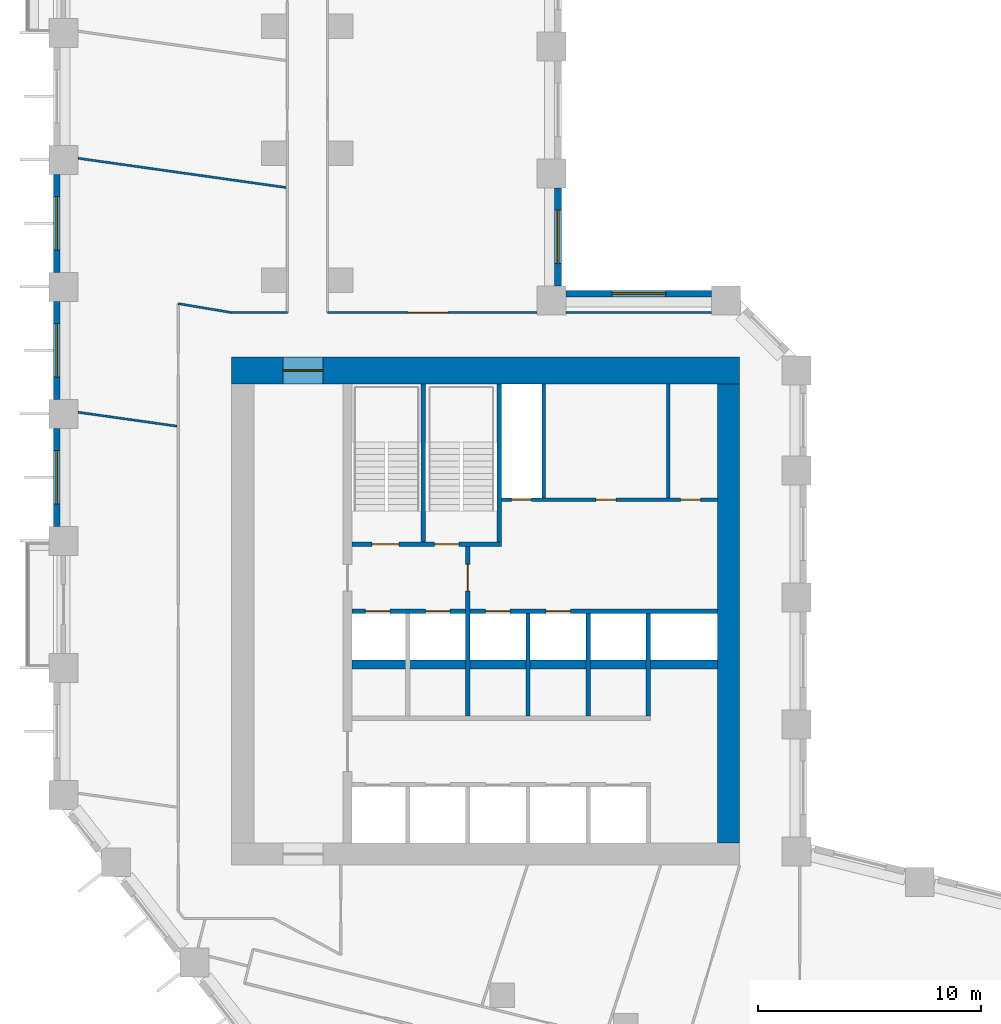
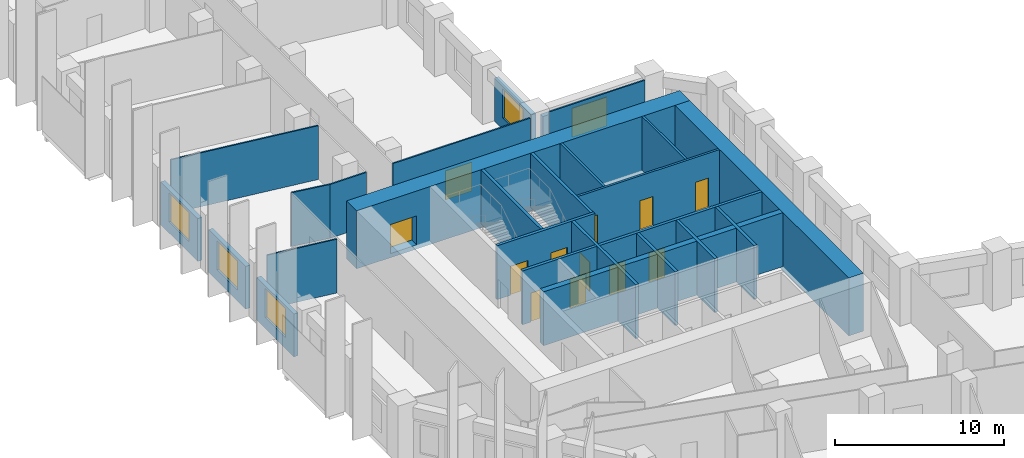
# One storey, part 5 of 11: 25 walls, 12 doors, 5 windows, 17 openings.
"""IFC4 building model written with IfcOpenShell, lengths in metres."""

from ifc_helpers import new_model, si_unit, direction, frame, frame_2d, origin, place, context, subcontext, project, spatial, rectangle, extrude, material, layer, layer_set, type_object, element, fill, save


model = new_model("IFC4")

# Units and contexts
model_context = context("Model", 3, precision=1e-05, world=origin(), true_north=direction((0.0, 1.0)))
body_context = subcontext(model_context, "Body", "Model", "MODEL_VIEW")
ifc_project = project(units=[si_unit("LENGTHUNIT", "METRE"), si_unit("AREAUNIT", "SQUARE_METRE"), si_unit("VOLUMEUNIT", "CUBIC_METRE"), si_unit("PLANEANGLEUNIT", "RADIAN"), si_unit("MASSUNIT", "GRAM", prefix="KILO")], contexts=[model_context])

# Site, building, storey
site_placement = place(None, origin())
site = spatial("IfcSite", under=ifc_project, at=site_placement, CompositionType="ELEMENT")
building_placement = place(site_placement, origin())
building = spatial("IfcBuilding", under=site, at=building_placement, Name="Meshkara Civic Tower", CompositionType="ELEMENT")
storey_placement = place(building_placement, frame((0.0, 0.0, 147.60009765625)))
storey = spatial("IfcBuildingStorey", under=building, at=storey_placement, Name="L33", CompositionType="ELEMENT", Elevation=147.60009765625)

# Wall, openings, doors
ifc_material_1 = material(Name="Blockwork", Category="masonry")
ifc_layer_1 = layer(ifc_material_1, 0.14990234375)
ifc_layer_set_1 = layer_set([ifc_layer_1], Name="Core partition 150")
wall_type_1 = type_object("IfcWallType", Name="Core partition 150", PredefinedType="PARTITIONING", material=ifc_layer_set_1)
wall_1_placement = place(storey_placement, frame((20.10009765625, 30.5, 0.0), z_axis=(0.0, 0.0, 1.0), x_axis=(1.0, 0.0, 0.0)))
wall_1 = element("IfcWall", 1, at=wall_1_placement, inside=storey, type_object=wall_type_1, Name="L33-C010", PredefinedType="PARTITIONING", context=body_context, shape_type="SweptSolid", body=[
    extrude(rectangle(XDim=9.699951171875, YDim=0.14990234375, at=frame_2d((4.85009765625, 0.0))), origin(), (0.0, 0.0, 1.0), 3.89990234375),
])
opening_1_placement = place(wall_1_placement, frame((0.449951171875, 0.0, 0.0)))
opening_1 = element("IfcOpeningElement", 2, at=opening_1_placement, cuts=wall_1, Name="Opening L33-K010", PredefinedType="OPENING", context=body_context, shape_type="SweptSolid", body=[
    extrude(rectangle(XDim=0.89990234375, YDim=2.10009765625, at=frame_2d((0.449951171875, 1.050048828125))), frame((0.0, 0.0849609375, 0.0), z_axis=(0.0, -1.0, 0.0), x_axis=(1.0, 0.0, 0.0)), (0.0, 0.0, 1.0), 0.169921875),
])
opening_2_placement = place(wall_1_placement, frame((4.25, 0.0, 0.0)))
opening_2 = element("IfcOpeningElement", 3, at=opening_2_placement, cuts=wall_1, Name="Opening L33-K011", PredefinedType="OPENING", context=body_context, shape_type="SweptSolid", body=[
    extrude(rectangle(XDim=0.89990234375, YDim=2.10009765625, at=frame_2d((0.449951171875, 1.050048828125))), frame((0.0, 0.0849609375, 0.0), z_axis=(0.0, -1.0, 0.0), x_axis=(1.0, 0.0, 0.0)), (0.0, 0.0, 1.0), 0.169921875),
])
opening_3_placement = place(wall_1_placement, frame((8.050048828125, 0.0, 0.0)))
opening_3 = element("IfcOpeningElement", 4, at=opening_3_placement, cuts=wall_1, Name="Opening L33-K012", PredefinedType="OPENING", context=body_context, shape_type="SweptSolid", body=[
    extrude(rectangle(XDim=0.89990234375, YDim=2.10009765625, at=frame_2d((0.449951171875, 1.050048828125))), frame((0.0, 0.0849609375, 0.0), z_axis=(0.0, -1.0, 0.0), x_axis=(1.0, 0.0, 0.0)), (0.0, 0.0, 1.0), 0.169921875),
])
ifc_material_2 = material(Name="Timber door leaf in steel frame", Category="steel")
door_type_1 = type_object("IfcDoorType", Name="Core room door 900", OperationType="SINGLE_SWING_LEFT", PredefinedType="DOOR", material=ifc_material_2)
door_1_placement = place(opening_2_placement, origin())
door_1 = element("IfcDoor", 5, at=door_1_placement, inside=storey, type_object=door_type_1, Name="L33-K011", OperationType="SINGLE_SWING_RIGHT", OverallHeight=2.10009765625, OverallWidth=0.89990234375, PredefinedType="DOOR", context=body_context, shape_type="SweptSolid", body=[
    extrude(rectangle(XDim=0.89990234375, YDim=2.10009765625, at=frame_2d((0.449951171875, 1.050048828125))), frame((0.0, 0.02490234375, 0.0), z_axis=(0.0, -1.0, 0.0), x_axis=(1.0, 0.0, 0.0)), (0.0, 0.0, 1.0), 0.050048828125),
])
fill(opening_2, door_1)
door_2_placement = place(opening_3_placement, origin())
door_2 = element("IfcDoor", 6, at=door_2_placement, inside=storey, type_object=door_type_1, Name="L33-K012", OperationType="SINGLE_SWING_RIGHT", OverallHeight=2.10009765625, OverallWidth=0.89990234375, PredefinedType="DOOR", context=body_context, shape_type="SweptSolid", body=[
    extrude(rectangle(XDim=0.89990234375, YDim=2.10009765625, at=frame_2d((0.449951171875, 1.050048828125))), frame((0.0, 0.02490234375, 0.0), z_axis=(0.0, -1.0, 0.0), x_axis=(1.0, 0.0, 0.0)), (0.0, 0.0, 1.0), 0.050048828125),
])
fill(opening_3, door_2)
ifc_material_3 = material(Name="Fire-rated door leaf in steel frame", Category="steel")
door_type_2 = type_object("IfcDoorType", Name="Riser door 900", OperationType="SINGLE_SWING_LEFT", PredefinedType="DOOR", material=ifc_material_3)
door_3_placement = place(opening_1_placement, origin())
door_3 = element("IfcDoor", 7, at=door_3_placement, inside=storey, type_object=door_type_2, Name="L33-K010", OperationType="SINGLE_SWING_RIGHT", OverallHeight=2.10009765625, OverallWidth=0.89990234375, PredefinedType="DOOR", context=body_context, shape_type="SweptSolid", body=[
    extrude(rectangle(XDim=0.89990234375, YDim=2.10009765625, at=frame_2d((0.449951171875, 1.050048828125))), frame((0.0, 0.02490234375, 0.0), z_axis=(0.0, -1.0, 0.0), x_axis=(1.0, 0.0, 0.0)), (0.0, 0.0, 1.0), 0.050048828125),
])
fill(opening_1, door_3)

# Walls
for number, where, z_axis, x_axis, name in (
    (8, (22.0, 30.574951171875, 0.0), (0.0, 0.0, 1.0), (0.0, 1.0, 0.0), "L33-C020"),
    (9, (27.60009765625, 30.574951171875, 0.0), (0.0, 0.0, 1.0), (0.0, 1.0, 0.0), "L33-C025"),
):
    element("IfcWall", number, at=place(storey_placement, frame(where, z_axis=z_axis, x_axis=x_axis)), inside=storey, type_object=wall_type_1, Name=name, PredefinedType="PARTITIONING", context=body_context, shape_type="SweptSolid", body=[
        extrude(rectangle(XDim=5.125, YDim=0.14990234375, at=frame_2d((2.5625, 0.0))), origin(), (0.0, 0.0, 1.0), 3.89990234375),
    ])
ifc_material_4 = material(Name="Concrete C70", Category="concrete")
ifc_layer_2 = layer(ifc_material_4, 1.0)
ifc_layer_set_2 = layer_set([ifc_layer_2], Name="Core ring wall 1000 C70")
wall_type_2 = type_object("IfcWallType", Name="Core ring wall 1000 C70", PredefinedType="SHEAR", material=ifc_layer_set_2)
wall_2_placement = place(storey_placement, frame((30.300048828125, 15.10009765625, -0.300048828125), z_axis=(0.0, 0.0, 1.0), x_axis=(0.0, 1.0, 0.0)))
element("IfcWall", 10, at=wall_2_placement, inside=storey, type_object=wall_type_2, Name="L33-C004", PredefinedType="SHEAR", context=body_context, shape_type="SweptSolid", body=[
    extrude(rectangle(XDim=20.599853515625, YDim=1.0, at=frame_2d((10.2998046875, 0.0))), origin(), (0.0, 0.0, 1.0), 4.199951171875),
])

# Wall, opening, door
ifc_material_5 = material(Name="Concrete C70", Category="concrete")
ifc_layer_3 = layer(ifc_material_5, 1.199951171875)
ifc_layer_set_3 = layer_set([ifc_layer_3], Name="Core ring wall 1200 C70")
wall_type_3 = type_object("IfcWallType", Name="Core ring wall 1200 C70", PredefinedType="SHEAR", material=ifc_layer_set_3)
wall_3_placement = place(storey_placement, frame((8.0, 36.300048828125, -0.300048828125), z_axis=(0.0, 0.0, 1.0), x_axis=(1.0, 0.0, 0.0)))
wall_3 = element("IfcWall", 11, at=wall_3_placement, inside=storey, type_object=wall_type_3, Name="L33-C002", PredefinedType="SHEAR", context=body_context, shape_type="SweptSolid", body=[
    extrude(rectangle(XDim=22.800048828125, YDim=1.199951171875, at=frame_2d((11.39990234375, 0.0))), origin(), (0.0, 0.0, 1.0), 4.199951171875),
])
opening_4_placement = place(wall_3_placement, frame((2.300048828125, 0.0, 0.300048828125)))
opening_4 = element("IfcOpeningElement", 12, at=opening_4_placement, cuts=wall_3, Name="Opening L33-K018", PredefinedType="OPENING", context=body_context, shape_type="SweptSolid", body=[
    extrude(rectangle(XDim=1.800048828125, YDim=2.10009765625, at=frame_2d((0.89990234375, 1.050048828125))), frame((0.0, 0.60986328125, 0.0), z_axis=(0.0, -1.0, 0.0), x_axis=(1.0, 0.0, 0.0)), (0.0, 0.0, 1.0), 1.219970703125),
])
ifc_material_6 = material(Name="Fire-rated door leaf in steel frame", Category="steel")
door_type_3 = type_object("IfcDoorType", Name="Core double door 1800 EI 60", OperationType="DOUBLE_DOOR_SINGLE_SWING", PredefinedType="DOOR", material=ifc_material_6)
door_4_placement = place(opening_4_placement, origin())
door_4 = element("IfcDoor", 13, at=door_4_placement, inside=storey, type_object=door_type_3, Name="L33-K018", OperationType="DOUBLE_DOOR_SINGLE_SWING", OverallHeight=2.10009765625, OverallWidth=1.800048828125, PredefinedType="DOOR", context=body_context, shape_type="SweptSolid", body=[
    extrude(rectangle(XDim=1.800048828125, YDim=2.10009765625, at=frame_2d((0.89990234375, 1.050048828125))), frame((0.0, 0.02490234375, 0.0), z_axis=(0.0, -1.0, 0.0), x_axis=(1.0, 0.0, 0.0)), (0.0, 0.0, 1.0), 0.050048828125),
])
fill(opening_4, door_4)

# Walls
ifc_material_7 = material(Name="Concrete C70", Category="concrete")
ifc_layer_4 = layer(ifc_material_7, 0.39990234375)
ifc_layer_set_4 = layer_set([ifc_layer_4], Name="Core shear wall 400 C70")
wall_type_4 = type_object("IfcWallType", Name="Core shear wall 400 C70", PredefinedType="SHEAR", material=ifc_layer_set_4)
wall_4_placement = place(storey_placement, frame((13.39990234375, 23.10009765625, 0.0), z_axis=(0.0, 0.0, 1.0), x_axis=(1.0, 0.0, 0.0)))
element("IfcWall", 14, at=wall_4_placement, inside=storey, type_object=wall_type_4, Name="L33-C007", PredefinedType="SHEAR", context=body_context, shape_type="SweptSolid", body=[
    extrude(rectangle(XDim=16.400146484375, YDim=0.39990234375, at=frame_2d((8.2001953125, 0.0))), origin(), (0.0, 0.0, 1.0), 3.89990234375),
])
ifc_material_8 = material(Name="Corridor wall 100")
ifc_layer_5 = layer(ifc_material_8, 0.10009765625)
ifc_layer_set_5 = layer_set([ifc_layer_5], Name="Corridor wall 100")
wall_type_5 = type_object("IfcWallType", Name="Corridor wall 100", PredefinedType="PARTITIONING", material=ifc_layer_set_5)
wall_5_placement = place(storey_placement, frame((8.0, 38.89990234375, 0.0), z_axis=(0.0, 0.0, 1.0), x_axis=(-0.986383073668, 0.16446407505, 0.0)))
element("IfcWall", 15, at=wall_5_placement, inside=storey, type_object=wall_type_5, Name="L33-W007", PredefinedType="PARTITIONING", context=body_context, shape_type="SweptSolid", body=[
    extrude(rectangle(XDim=2.43310546875, YDim=0.10009765625, at=frame_2d((1.216552734375, 0.0))), origin(), (0.0, 0.0, 1.0), 3.89990234375),
])
wall_6_placement = place(storey_placement, frame((10.5, 38.89990234375, 0.0), z_axis=(0.0, 0.0, 1.0), x_axis=(-1.0, 0.0, 0.0)))
element("IfcWall", 16, at=wall_6_placement, inside=storey, type_object=wall_type_5, Name="L33-W012", PredefinedType="PARTITIONING", context=body_context, shape_type="SweptSolid", body=[
    extrude(rectangle(XDim=2.5, YDim=0.10009765625, at=frame_2d((1.25, 0.0))), origin(), (0.0, 0.0, 1.0), 3.89990234375),
])

# Wall, opening, door
wall_7_placement = place(storey_placement, frame((21.699951171875, 38.89990234375, 0.0), z_axis=(0.0, 0.0, 1.0), x_axis=(-1.0, 0.0, 0.0)))
wall_7 = element("IfcWall", 17, at=wall_7_placement, inside=storey, type_object=wall_type_5, Name="L33-W019", PredefinedType="PARTITIONING", context=body_context, shape_type="SweptSolid", body=[
    extrude(rectangle(XDim=9.39990234375, YDim=0.10009765625, at=frame_2d((4.699951171875, 0.0))), origin(), (0.0, 0.0, 1.0), 3.89990234375),
])
opening_5_placement = place(wall_7_placement, frame((3.97998046875, 0.0, 0.0)))
opening_5 = element("IfcOpeningElement", 18, at=opening_5_placement, cuts=wall_7, Name="Opening L33-D019", PredefinedType="OPENING", context=body_context, shape_type="SweptSolid", body=[
    extrude(rectangle(XDim=1.800048828125, YDim=2.10009765625, at=frame_2d((0.89990234375, 1.050048828125))), frame((0.0, 0.06005859375, 0.0), z_axis=(0.0, -1.0, 0.0), x_axis=(1.0, 0.0, 0.0)), (0.0, 0.0, 1.0), 0.1201171875),
])
ifc_material_9 = material(Name="Door pair 1800 x 2100")
door_type_4 = type_object("IfcDoorType", Name="Door pair 1800 x 2100", OperationType="SINGLE_SWING_LEFT", PredefinedType="DOOR", material=ifc_material_9)
door_5_placement = place(opening_5_placement, origin())
door_5 = element("IfcDoor", 19, at=door_5_placement, inside=storey, type_object=door_type_4, Name="L33-D019", OperationType="DOUBLE_DOOR_SINGLE_SWING", OverallHeight=2.10009765625, OverallWidth=1.800048828125, PredefinedType="DOOR", context=body_context, shape_type="SweptSolid", body=[
    extrude(rectangle(XDim=1.800048828125, YDim=2.10009765625, at=frame_2d((0.89990234375, 1.050048828125))), frame((0.0, 0.02490234375, 0.0), z_axis=(0.0, -1.0, 0.0), x_axis=(1.0, 0.0, 0.0)), (0.0, 0.0, 1.0), 0.050048828125),
])
fill(opening_5, door_5)

# Wall
wall_8_placement = place(storey_placement, frame((29.5439453125, 38.89990234375, 0.0), z_axis=(0.0, 0.0, 1.0), x_axis=(-1.0, 0.0, 0.0)))
element("IfcWall", 20, at=wall_8_placement, inside=storey, type_object=wall_type_5, Name="L33-W020", PredefinedType="PARTITIONING", context=body_context, shape_type="SweptSolid", body=[
    extrude(rectangle(XDim=6.5439453125, YDim=0.10009765625, at=frame_2d((3.27197265625, 0.0))), origin(), (0.0, 0.0, 1.0), 3.89990234375),
])

# Wall, opening, window
ifc_material_10 = material(Name="Insulated infill panel with bronze anodised aluminium cladding", Category="aluminium")
ifc_layer_6 = layer(ifc_material_10, 0.300048828125)
ifc_layer_set_6 = layer_set([ifc_layer_6], Name="EXTERNAL INFILL WALL 300")
wall_type_6 = type_object("IfcWallType", Name="EXTERNAL INFILL WALL 300", PredefinedType="SOLIDWALL", material=ifc_layer_set_6)
wall_9_placement = place(storey_placement, frame((29.5439453125, 39.75, 0.0), z_axis=(0.0, 0.0, 1.0), x_axis=(-1.0, 0.0, 0.0)))
wall_9 = element("IfcWall", 21, at=wall_9_placement, inside=storey, type_object=wall_type_6, Name="External wall", PredefinedType="SOLIDWALL", context=body_context, shape_type="SweptSolid", body=[
    extrude(rectangle(XDim=6.5439453125, YDim=0.300048828125, at=frame_2d((3.27197265625, 0.0))), origin(), (0.0, 0.0, 1.0), 3.099853515625),
])
opening_6_placement = place(wall_9_placement, frame((2.072021484375, 0.0, 0.800048828125)))
opening_6 = element("IfcOpeningElement", 22, at=opening_6_placement, cuts=wall_9, Name="Opening W7", PredefinedType="OPENING", context=body_context, shape_type="SweptSolid", body=[
    extrude(rectangle(XDim=2.39990234375, YDim=2.10009765625, at=frame_2d((1.199951171875, 1.050048828125))), frame((0.0, 0.159912109375, 0.0), z_axis=(0.0, -1.0, 0.0), x_axis=(1.0, 0.0, 0.0)), (0.0, 0.0, 1.0), 0.320068359375),
])
ifc_material_11 = material(Name="Tinted double glazing", Category="glass")
window_type = type_object("IfcWindowType", Name="WINDOW 2400x2100", PartitioningType="DOUBLE_PANEL_VERTICAL", PredefinedType="WINDOW", material=ifc_material_11)
window_1_placement = place(opening_6_placement, origin())
window_1 = element("IfcWindow", 23, at=window_1_placement, inside=storey, type_object=window_type, Name="Window", OverallHeight=2.10009765625, OverallWidth=2.39990234375, PartitioningType="DOUBLE_PANEL_VERTICAL", PredefinedType="WINDOW", context=body_context, shape_type="SweptSolid", body=[
    extrude(rectangle(XDim=2.39990234375, YDim=2.10009765625, at=frame_2d((1.199951171875, 1.050048828125))), frame((0.0, 0.030029296875, 0.0), z_axis=(0.0, -1.0, 0.0), x_axis=(1.0, 0.0, 0.0)), (0.0, 0.0, 1.0), 0.06005859375),
])
fill(opening_6, window_1)

wall_10_placement = place(storey_placement, frame((22.64990234375, 40.10009765625, 0.0), z_axis=(0.0, 0.0, 1.0), x_axis=(0.0, 1.0, 0.0)))
wall_10 = element("IfcWall", 24, at=wall_10_placement, inside=storey, type_object=wall_type_6, Name="External wall", PredefinedType="SOLIDWALL", context=body_context, shape_type="SweptSolid", body=[
    extrude(rectangle(XDim=4.39990234375, YDim=0.300048828125, at=frame_2d((2.199951171875, 0.0))), origin(), (0.0, 0.0, 1.0), 3.099853515625),
])
opening_7_placement = place(wall_10_placement, frame((1.0, 0.0, 0.800048828125)))
opening_7 = element("IfcOpeningElement", 25, at=opening_7_placement, cuts=wall_10, Name="Opening W7", PredefinedType="OPENING", context=body_context, shape_type="SweptSolid", body=[
    extrude(rectangle(XDim=2.39990234375, YDim=2.10009765625, at=frame_2d((1.199951171875, 1.050048828125))), frame((0.0, 0.159912109375, 0.0), z_axis=(0.0, -1.0, 0.0), x_axis=(1.0, 0.0, 0.0)), (0.0, 0.0, 1.0), 0.320068359375),
])
window_2_placement = place(opening_7_placement, origin())
window_2 = element("IfcWindow", 26, at=window_2_placement, inside=storey, type_object=window_type, Name="Window", OverallHeight=2.10009765625, OverallWidth=2.39990234375, PartitioningType="DOUBLE_PANEL_VERTICAL", PredefinedType="WINDOW", context=body_context, shape_type="SweptSolid", body=[
    extrude(rectangle(XDim=2.39990234375, YDim=2.10009765625, at=frame_2d((1.199951171875, 1.050048828125))), frame((0.0, 0.030029296875, 0.0), z_axis=(0.0, -1.0, 0.0), x_axis=(1.0, 0.0, 0.0)), (0.0, 0.0, 1.0), 0.06005859375),
])
fill(opening_7, window_2)

wall_11_placement = place(storey_placement, frame((0.14990234375, 45.10498046875, 0.0), z_axis=(0.0, 0.0, 1.0), x_axis=(0.0, -1.0, 0.0)))
wall_11 = element("IfcWall", 27, at=wall_11_placement, inside=storey, type_object=wall_type_6, Name="External wall", PredefinedType="SOLIDWALL", context=body_context, shape_type="SweptSolid", body=[
    extrude(rectangle(XDim=4.39990234375, YDim=0.300048828125, at=frame_2d((2.199951171875, 0.0))), origin(), (0.0, 0.0, 1.0), 3.099853515625),
])
opening_8_placement = place(wall_11_placement, frame((1.0, 0.0, 0.800048828125)))
opening_8 = element("IfcOpeningElement", 28, at=opening_8_placement, cuts=wall_11, Name="Opening W7", PredefinedType="OPENING", context=body_context, shape_type="SweptSolid", body=[
    extrude(rectangle(XDim=2.39990234375, YDim=2.10009765625, at=frame_2d((1.199951171875, 1.050048828125))), frame((0.0, 0.159912109375, 0.0), z_axis=(0.0, -1.0, 0.0), x_axis=(1.0, 0.0, 0.0)), (0.0, 0.0, 1.0), 0.320068359375),
])
window_3_placement = place(opening_8_placement, origin())
window_3 = element("IfcWindow", 29, at=window_3_placement, inside=storey, type_object=window_type, Name="Window", OverallHeight=2.10009765625, OverallWidth=2.39990234375, PartitioningType="DOUBLE_PANEL_VERTICAL", PredefinedType="WINDOW", context=body_context, shape_type="SweptSolid", body=[
    extrude(rectangle(XDim=2.39990234375, YDim=2.10009765625, at=frame_2d((1.199951171875, 1.050048828125))), frame((0.0, 0.030029296875, 0.0), z_axis=(0.0, -1.0, 0.0), x_axis=(1.0, 0.0, 0.0)), (0.0, 0.0, 1.0), 0.06005859375),
])
fill(opening_8, window_3)

wall_12_placement = place(storey_placement, frame((0.14990234375, 39.405029296875, 0.0), z_axis=(0.0, 0.0, 1.0), x_axis=(0.0, -1.0, 0.0)))
wall_12 = element("IfcWall", 30, at=wall_12_placement, inside=storey, type_object=wall_type_6, Name="External wall", PredefinedType="SOLIDWALL", context=body_context, shape_type="SweptSolid", body=[
    extrude(rectangle(XDim=4.400146484375, YDim=0.300048828125, at=frame_2d((2.2001953125, 0.0))), origin(), (0.0, 0.0, 1.0), 3.099853515625),
])
opening_9_placement = place(wall_12_placement, frame((1.0, 0.0, 0.800048828125)))
opening_9 = element("IfcOpeningElement", 31, at=opening_9_placement, cuts=wall_12, Name="Opening W7", PredefinedType="OPENING", context=body_context, shape_type="SweptSolid", body=[
    extrude(rectangle(XDim=2.39990234375, YDim=2.10009765625, at=frame_2d((1.199951171875, 1.050048828125))), frame((0.0, 0.159912109375, 0.0), z_axis=(0.0, -1.0, 0.0), x_axis=(1.0, 0.0, 0.0)), (0.0, 0.0, 1.0), 0.320068359375),
])
window_4_placement = place(opening_9_placement, origin())
window_4 = element("IfcWindow", 32, at=window_4_placement, inside=storey, type_object=window_type, Name="Window", OverallHeight=2.10009765625, OverallWidth=2.39990234375, PartitioningType="DOUBLE_PANEL_VERTICAL", PredefinedType="WINDOW", context=body_context, shape_type="SweptSolid", body=[
    extrude(rectangle(XDim=2.39990234375, YDim=2.10009765625, at=frame_2d((1.199951171875, 1.050048828125))), frame((0.0, 0.030029296875, 0.0), z_axis=(0.0, -1.0, 0.0), x_axis=(1.0, 0.0, 0.0)), (0.0, 0.0, 1.0), 0.06005859375),
])
fill(opening_9, window_4)

wall_13_placement = place(storey_placement, frame((0.14990234375, 33.705078125, 0.0), z_axis=(0.0, 0.0, 1.0), x_axis=(0.0, -1.0, 0.0)))
wall_13 = element("IfcWall", 33, at=wall_13_placement, inside=storey, type_object=wall_type_6, Name="External wall", PredefinedType="SOLIDWALL", context=body_context, shape_type="SweptSolid", body=[
    extrude(rectangle(XDim=4.400146484375, YDim=0.300048828125, at=frame_2d((2.2001953125, 0.0))), origin(), (0.0, 0.0, 1.0), 3.099853515625),
])
opening_10_placement = place(wall_13_placement, frame((1.0, 0.0, 0.800048828125)))
opening_10 = element("IfcOpeningElement", 34, at=opening_10_placement, cuts=wall_13, Name="Opening W7", PredefinedType="OPENING", context=body_context, shape_type="SweptSolid", body=[
    extrude(rectangle(XDim=2.39990234375, YDim=2.10009765625, at=frame_2d((1.199951171875, 1.050048828125))), frame((0.0, 0.159912109375, 0.0), z_axis=(0.0, -1.0, 0.0), x_axis=(1.0, 0.0, 0.0)), (0.0, 0.0, 1.0), 0.320068359375),
])
window_5_placement = place(opening_10_placement, origin())
window_5 = element("IfcWindow", 35, at=window_5_placement, inside=storey, type_object=window_type, Name="Window", OverallHeight=2.10009765625, OverallWidth=2.39990234375, PartitioningType="DOUBLE_PANEL_VERTICAL", PredefinedType="WINDOW", context=body_context, shape_type="SweptSolid", body=[
    extrude(rectangle(XDim=2.39990234375, YDim=2.10009765625, at=frame_2d((1.199951171875, 1.050048828125))), frame((0.0, 0.030029296875, 0.0), z_axis=(0.0, -1.0, 0.0), x_axis=(1.0, 0.0, 0.0)), (0.0, 0.0, 1.0), 0.06005859375),
])
fill(opening_10, window_5)

# Walls
ifc_material_12 = material(Name="Partition 100")
ifc_layer_7 = layer(ifc_material_12, 0.10009765625)
ifc_layer_set_7 = layer_set([ifc_layer_7], Name="Partition 100")
wall_type_7 = type_object("IfcWallType", Name="Partition 100", PredefinedType="PARTITIONING", material=ifc_layer_set_7)
wall_14_placement = place(storey_placement, frame((5.54296875, 33.801025390625, 0.0), z_axis=(0.0, 0.0, 1.0), x_axis=(-0.990249777372, 0.139303188816, 0.0)))
element("IfcWall", 36, at=wall_14_placement, inside=storey, type_object=wall_type_7, Name="L33-W033", PredefinedType="PARTITIONING", context=body_context, shape_type="SweptSolid", body=[
    extrude(rectangle(XDim=4.486572265625, YDim=0.10009765625, at=frame_2d((2.2431640625, 0.0))), origin(), (0.0, 0.0, 1.0), 3.89990234375),
])
wall_15_placement = place(storey_placement, frame((10.443115234375, 44.511962890625, 0.0), z_axis=(0.0, 0.0, 1.0), x_axis=(-0.990255073415, 0.139265536207, 0.0)))
element("IfcWall", 37, at=wall_15_placement, inside=storey, type_object=wall_type_7, Name="L33-W036", PredefinedType="PARTITIONING", context=body_context, shape_type="SweptSolid", body=[
    extrude(rectangle(XDim=9.43505859375, YDim=0.10009765625, at=frame_2d((4.717529296875, 0.0))), origin(), (0.0, 0.0, 1.0), 3.89990234375),
])

# Wall, openings, doors
ifc_material_13 = material(Name="Concrete C40/50", Category="concrete")
ifc_layer_8 = layer(ifc_material_13, 0.199951171875)
ifc_layer_set_8 = layer_set([ifc_layer_8], Name="Shaft wall 200 C40/50")
wall_type_8 = type_object("IfcWallType", Name="Shaft wall 200 C40/50", PredefinedType="SOLIDWALL", material=ifc_layer_set_8)
wall_16_placement = place(storey_placement, frame((13.39990234375, 25.5, 0.0), z_axis=(0.0, 0.0, 1.0), x_axis=(1.0, 0.0, 0.0)))
wall_16 = element("IfcWall", 38, at=wall_16_placement, inside=storey, type_object=wall_type_8, Name="L33-C008", PredefinedType="SOLIDWALL", context=body_context, shape_type="SweptSolid", body=[
    extrude(rectangle(XDim=16.400146484375, YDim=0.199951171875, at=frame_2d((8.2001953125, 0.0))), origin(), (0.0, 0.0, 1.0), 3.89990234375),
])
opening_11_placement = place(wall_16_placement, frame((0.60009765625, 0.0, 0.0)))
opening_11 = element("IfcOpeningElement", 39, at=opening_11_placement, cuts=wall_16, Name="Opening L33-K006", PredefinedType="OPENING", context=body_context, shape_type="SweptSolid", body=[
    extrude(rectangle(XDim=1.10009765625, YDim=2.10009765625, at=frame_2d((0.550048828125, 1.050048828125))), frame((0.0, 0.10986328125, 0.0), z_axis=(0.0, -1.0, 0.0), x_axis=(1.0, 0.0, 0.0)), (0.0, 0.0, 1.0), 0.219970703125),
])
opening_12_placement = place(wall_16_placement, frame((3.300048828125, 0.0, 0.0)))
opening_12 = element("IfcOpeningElement", 40, at=opening_12_placement, cuts=wall_16, Name="Opening L33-K007", PredefinedType="OPENING", context=body_context, shape_type="SweptSolid", body=[
    extrude(rectangle(XDim=1.10009765625, YDim=2.10009765625, at=frame_2d((0.550048828125, 1.050048828125))), frame((0.0, 0.10986328125, 0.0), z_axis=(0.0, -1.0, 0.0), x_axis=(1.0, 0.0, 0.0)), (0.0, 0.0, 1.0), 0.219970703125),
])
opening_13_placement = place(wall_16_placement, frame((6.0, 0.0, 0.0)))
opening_13 = element("IfcOpeningElement", 41, at=opening_13_placement, cuts=wall_16, Name="Opening L33-K008", PredefinedType="OPENING", context=body_context, shape_type="SweptSolid", body=[
    extrude(rectangle(XDim=1.10009765625, YDim=2.10009765625, at=frame_2d((0.550048828125, 1.050048828125))), frame((0.0, 0.10986328125, 0.0), z_axis=(0.0, -1.0, 0.0), x_axis=(1.0, 0.0, 0.0)), (0.0, 0.0, 1.0), 0.219970703125),
])
opening_14_placement = place(wall_16_placement, frame((8.699951171875, 0.0, 0.0)))
opening_14 = element("IfcOpeningElement", 42, at=opening_14_placement, cuts=wall_16, Name="Opening L33-K009", PredefinedType="OPENING", context=body_context, shape_type="SweptSolid", body=[
    extrude(rectangle(XDim=1.10009765625, YDim=2.10009765625, at=frame_2d((0.550048828125, 1.050048828125))), frame((0.0, 0.10986328125, 0.0), z_axis=(0.0, -1.0, 0.0), x_axis=(1.0, 0.0, 0.0)), (0.0, 0.0, 1.0), 0.219970703125),
])
ifc_material_14 = material(Name="Stainless steel landing door", Category="steel")
door_type_5 = type_object("IfcDoorType", Name="Lift landing door 1100", OperationType="SLIDING_TO_LEFT", PredefinedType="DOOR", material=ifc_material_14)
door_6_placement = place(opening_11_placement, origin())
door_6 = element("IfcDoor", 43, at=door_6_placement, inside=storey, type_object=door_type_5, Name="L33-K006", OperationType="SLIDING_TO_LEFT", OverallHeight=2.10009765625, OverallWidth=1.10009765625, PredefinedType="DOOR", context=body_context, shape_type="SweptSolid", body=[
    extrude(rectangle(XDim=1.10009765625, YDim=2.10009765625, at=frame_2d((0.550048828125, 1.050048828125))), frame((0.0, 0.02490234375, 0.0), z_axis=(0.0, -1.0, 0.0), x_axis=(1.0, 0.0, 0.0)), (0.0, 0.0, 1.0), 0.050048828125),
])
fill(opening_11, door_6)
door_7_placement = place(opening_12_placement, origin())
door_7 = element("IfcDoor", 44, at=door_7_placement, inside=storey, type_object=door_type_5, Name="L33-K007", OperationType="SLIDING_TO_LEFT", OverallHeight=2.10009765625, OverallWidth=1.10009765625, PredefinedType="DOOR", context=body_context, shape_type="SweptSolid", body=[
    extrude(rectangle(XDim=1.10009765625, YDim=2.10009765625, at=frame_2d((0.550048828125, 1.050048828125))), frame((0.0, 0.02490234375, 0.0), z_axis=(0.0, -1.0, 0.0), x_axis=(1.0, 0.0, 0.0)), (0.0, 0.0, 1.0), 0.050048828125),
])
fill(opening_12, door_7)
door_8_placement = place(opening_13_placement, origin())
door_8 = element("IfcDoor", 45, at=door_8_placement, inside=storey, type_object=door_type_5, Name="L33-K008", OperationType="SLIDING_TO_LEFT", OverallHeight=2.10009765625, OverallWidth=1.10009765625, PredefinedType="DOOR", context=body_context, shape_type="SweptSolid", body=[
    extrude(rectangle(XDim=1.10009765625, YDim=2.10009765625, at=frame_2d((0.550048828125, 1.050048828125))), frame((0.0, 0.02490234375, 0.0), z_axis=(0.0, -1.0, 0.0), x_axis=(1.0, 0.0, 0.0)), (0.0, 0.0, 1.0), 0.050048828125),
])
fill(opening_13, door_8)
door_9_placement = place(opening_14_placement, origin())
door_9 = element("IfcDoor", 46, at=door_9_placement, inside=storey, type_object=door_type_5, Name="L33-K009", OperationType="SLIDING_TO_LEFT", OverallHeight=2.10009765625, OverallWidth=1.10009765625, PredefinedType="DOOR", context=body_context, shape_type="SweptSolid", body=[
    extrude(rectangle(XDim=1.10009765625, YDim=2.10009765625, at=frame_2d((0.550048828125, 1.050048828125))), frame((0.0, 0.02490234375, 0.0), z_axis=(0.0, -1.0, 0.0), x_axis=(1.0, 0.0, 0.0)), (0.0, 0.0, 1.0), 0.050048828125),
])
fill(opening_14, door_9)

# Wall, opening, door
wall_17_placement = place(storey_placement, frame((18.60009765625, 20.800048828125, 0.0), z_axis=(0.0, 0.0, 1.0), x_axis=(0.0, 1.0, 0.0)))
wall_17 = element("IfcWall", 47, at=wall_17_placement, inside=storey, type_object=wall_type_8, Name="L33-C016", PredefinedType="SOLIDWALL", context=body_context, shape_type="SweptSolid", body=[
    extrude(rectangle(XDim=7.599853515625, YDim=0.199951171875, at=frame_2d((3.7998046875, 0.0))), origin(), (0.0, 0.0, 1.0), 3.89990234375),
])
opening_15_placement = place(wall_17_placement, frame((5.60009765625, 0.0, 0.0)))
opening_15 = element("IfcOpeningElement", 48, at=opening_15_placement, cuts=wall_17, Name="Opening L33-K017", PredefinedType="OPENING", context=body_context, shape_type="SweptSolid", body=[
    extrude(rectangle(XDim=1.199951171875, YDim=2.10009765625, at=frame_2d((0.60009765625, 1.050048828125))), frame((0.0, 0.10986328125, 0.0), z_axis=(0.0, -1.0, 0.0), x_axis=(1.0, 0.0, 0.0)), (0.0, 0.0, 1.0), 0.219970703125),
])
ifc_material_15 = material(Name="Fire-rated door leaf in steel frame", Category="steel")
door_type_6 = type_object("IfcDoorType", Name="Fire-fighting lobby door 1200 EI 120", OperationType="SINGLE_SWING_LEFT", PredefinedType="DOOR", material=ifc_material_15)
door_10_placement = place(opening_15_placement, origin())
door_10 = element("IfcDoor", 49, at=door_10_placement, inside=storey, type_object=door_type_6, Name="L33-K017", OperationType="SINGLE_SWING_RIGHT", OverallHeight=2.10009765625, OverallWidth=1.199951171875, PredefinedType="DOOR", context=body_context, shape_type="SweptSolid", body=[
    extrude(rectangle(XDim=1.199951171875, YDim=2.10009765625, at=frame_2d((0.60009765625, 1.050048828125))), frame((0.0, 0.02490234375, 0.0), z_axis=(0.0, -1.0, 0.0), x_axis=(1.0, 0.0, 0.0)), (0.0, 0.0, 1.0), 0.050048828125),
])
fill(opening_15, door_10)

# Walls
for number, where, z_axis, x_axis, name in (
    (50, (21.300048828125, 20.800048828125, 0.0), (0.0, 0.0, 1.0), (0.0, 1.0, 0.0), "L33-C019"),
    (51, (24.0, 20.800048828125, 0.0), (0.0, 0.0, 1.0), (0.0, 1.0, 0.0), "L33-C022"),
    (52, (26.699951171875, 20.800048828125, 0.0), (0.0, 0.0, 1.0), (0.0, 1.0, 0.0), "L33-C024"),
):
    element("IfcWall", number, at=place(storey_placement, frame(where, z_axis=z_axis, x_axis=x_axis)), inside=storey, type_object=wall_type_8, Name=name, PredefinedType="SOLIDWALL", context=body_context, shape_type="SweptSolid", body=[
        extrude(rectangle(XDim=4.599853515625, YDim=0.199951171875, at=frame_2d((2.2998046875, 0.0))), origin(), (0.0, 0.0, 1.0), 3.89990234375),
    ])

# Wall, openings, doors
ifc_material_16 = material(Name="Concrete C40/50", Category="concrete")
ifc_layer_9 = layer(ifc_material_16, 0.199951171875)
ifc_layer_set_9 = layer_set([ifc_layer_9], Name="Stair enclosure wall 200 C40/50")
wall_type_9 = type_object("IfcWallType", Name="Stair enclosure wall 200 C40/50", PredefinedType="SOLIDWALL", material=ifc_layer_set_9)
wall_18_placement = place(storey_placement, frame((13.39990234375, 28.5, 0.0), z_axis=(0.0, 0.0, 1.0), x_axis=(1.0, 0.0, 0.0)))
wall_18 = element("IfcWall", 53, at=wall_18_placement, inside=storey, type_object=wall_type_9, Name="L33-C009", PredefinedType="SOLIDWALL", context=body_context, shape_type="SweptSolid", body=[
    extrude(rectangle(XDim=6.7001953125, YDim=0.199951171875, at=frame_2d((3.35009765625, 0.0))), origin(), (0.0, 0.0, 1.0), 3.89990234375),
])
opening_16_placement = place(wall_18_placement, frame((0.89990234375, 0.0, 0.0)))
opening_16 = element("IfcOpeningElement", 54, at=opening_16_placement, cuts=wall_18, Name="Opening L33-K013", PredefinedType="OPENING", context=body_context, shape_type="SweptSolid", body=[
    extrude(rectangle(XDim=1.199951171875, YDim=2.10009765625, at=frame_2d((0.60009765625, 1.050048828125))), frame((0.0, 0.10986328125, 0.0), z_axis=(0.0, -1.0, 0.0), x_axis=(1.0, 0.0, 0.0)), (0.0, 0.0, 1.0), 0.219970703125),
])
opening_17_placement = place(wall_18_placement, frame((3.699951171875, 0.0, 0.0)))
opening_17 = element("IfcOpeningElement", 55, at=opening_17_placement, cuts=wall_18, Name="Opening L33-K014", PredefinedType="OPENING", context=body_context, shape_type="SweptSolid", body=[
    extrude(rectangle(XDim=1.10009765625, YDim=2.10009765625, at=frame_2d((0.550048828125, 1.050048828125))), frame((0.0, 0.10986328125, 0.0), z_axis=(0.0, -1.0, 0.0), x_axis=(1.0, 0.0, 0.0)), (0.0, 0.0, 1.0), 0.219970703125),
])
ifc_material_17 = material(Name="Fire-rated door leaf in steel frame", Category="steel")
door_type_7 = type_object("IfcDoorType", Name="Stair door 1100 EI 120", OperationType="SINGLE_SWING_LEFT", PredefinedType="DOOR", material=ifc_material_17)
door_11_placement = place(opening_17_placement, origin())
door_11 = element("IfcDoor", 56, at=door_11_placement, inside=storey, type_object=door_type_7, Name="L33-K014", OperationType="SINGLE_SWING_LEFT", OverallHeight=2.10009765625, OverallWidth=1.10009765625, PredefinedType="DOOR", context=body_context, shape_type="SweptSolid", body=[
    extrude(rectangle(XDim=1.10009765625, YDim=2.10009765625, at=frame_2d((0.550048828125, 1.050048828125))), frame((0.0, 0.02490234375, 0.0), z_axis=(0.0, -1.0, 0.0), x_axis=(1.0, 0.0, 0.0)), (0.0, 0.0, 1.0), 0.050048828125),
])
fill(opening_17, door_11)
ifc_material_18 = material(Name="Fire-rated door leaf in steel frame", Category="steel")
door_type_8 = type_object("IfcDoorType", Name="Stair door 1200 EI 120", OperationType="SINGLE_SWING_LEFT", PredefinedType="DOOR", material=ifc_material_18)
door_12_placement = place(opening_16_placement, origin())
door_12 = element("IfcDoor", 57, at=door_12_placement, inside=storey, type_object=door_type_8, Name="L33-K013", OperationType="SINGLE_SWING_RIGHT", OverallHeight=2.10009765625, OverallWidth=1.199951171875, PredefinedType="DOOR", context=body_context, shape_type="SweptSolid", body=[
    extrude(rectangle(XDim=1.199951171875, YDim=2.10009765625, at=frame_2d((0.60009765625, 1.050048828125))), frame((0.0, 0.02490234375, 0.0), z_axis=(0.0, -1.0, 0.0), x_axis=(1.0, 0.0, 0.0)), (0.0, 0.0, 1.0), 0.050048828125),
])
fill(opening_16, door_12)

# Walls
for number, where, z_axis, x_axis, name in (
    (58, (16.60009765625, 28.60009765625, 0.0), (0.0, 0.0, 1.0), (0.0, 1.0, 0.0), "L33-C014"),
    (59, (20.0, 28.60009765625, 0.0), (0.0, 0.0, 1.0), (0.0, 1.0, 0.0), "L33-C017"),
):
    element("IfcWall", number, at=place(storey_placement, frame(where, z_axis=z_axis, x_axis=x_axis)), inside=storey, type_object=wall_type_9, Name=name, PredefinedType="SOLIDWALL", context=body_context, shape_type="SweptSolid", body=[
        extrude(rectangle(XDim=7.099853515625, YDim=0.199951171875, at=frame_2d((3.5498046875, 0.0))), origin(), (0.0, 0.0, 1.0), 3.89990234375),
    ])

save(model, "model.ifc")
